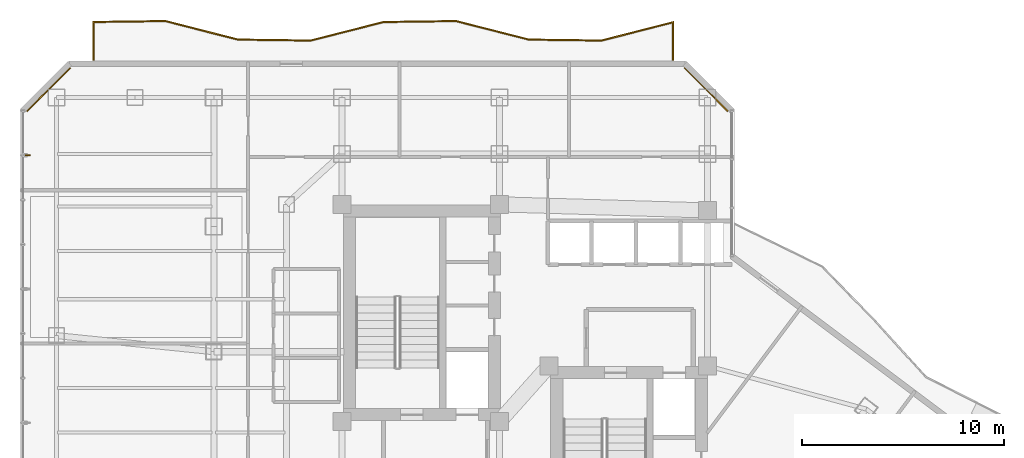
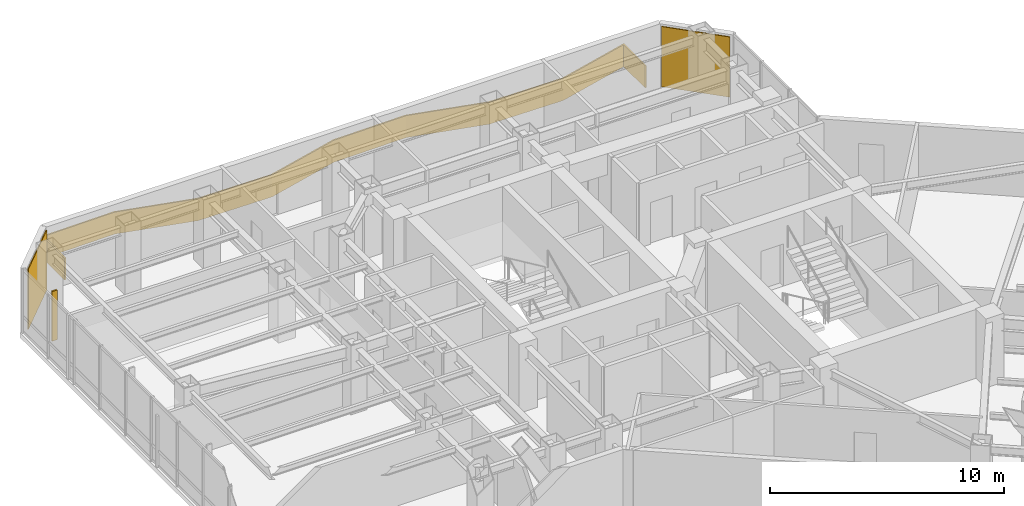
# One storey, part 28 of 28: 2 coverings, 1 railing, 1 shading device.
"""IFC4 building model written with IfcOpenShell, lengths in metres."""

from ifc_helpers import new_model, si_unit, direction, frame, origin, origin_2d, place, context, subcontext, project, spatial, polyline, rectangle, outline, extrude, material, layer, layer_set, type_object, element, save


model = new_model("IFC4")

# Units and contexts
model_context = context("Model", 3, precision=1e-05, world=origin(), true_north=direction((0.0, 1.0)))
body_context = subcontext(model_context, "Body", "Model", "MODEL_VIEW")
ifc_project = project(units=[si_unit("LENGTHUNIT", "METRE"), si_unit("AREAUNIT", "SQUARE_METRE"), si_unit("VOLUMEUNIT", "CUBIC_METRE"), si_unit("PLANEANGLEUNIT", "RADIAN"), si_unit("MASSUNIT", "GRAM", prefix="KILO")], contexts=[model_context])

# Site, building, storey
site_placement = place(None, origin())
site = spatial("IfcSite", under=ifc_project, at=site_placement, CompositionType="ELEMENT")
building_placement = place(site_placement, origin())
building = spatial("IfcBuilding", under=site, at=building_placement, Name="Hatsunagi Terrace Concourse", CompositionType="ELEMENT")
storey_placement = place(building_placement, frame((0.0, 0.0, 160.050048828125)))
storey = spatial("IfcBuildingStorey", under=building, at=storey_placement, Name="L42", CompositionType="ELEMENT", Elevation=160.050048828125)

# Railing
ifc_material_1 = material(Name="Laminated Glass and Stainless Steel Guard", Category="steel")
ifc_layer_1 = layer(ifc_material_1, 0.070068359375)
ifc_layer_set_1 = layer_set([ifc_layer_1], Name="BalconyGlassGuardRail_1150")
railing_type = type_object("IfcRailingType", Name="BalconyGlassGuardRail_1150", PredefinedType="BALUSTRADE", material=ifc_layer_set_1)
railing_placement = place(storey_placement, origin())
element("IfcRailing", 1, at=railing_placement, inside=storey, type_object=railing_type, Name="Engawa Balcony Guard GRD-01 L42-BN-1", PredefinedType="BALUSTRADE", context=body_context, shape_type="SweptSolid", body=[
    extrude(outline(polyline([(13.215087890625, 50.449951171875), (13.284912109375, 50.449951171875), (13.284912109375, 52.301513671875), (16.789794921875, 52.347900390625), (20.388427734375, 51.43017578125), (24.01025390625, 51.3818359375), (27.611572265625, 52.300048828125), (31.189697265625, 52.347900390625), (34.788330078125, 51.43017578125), (38.41015625, 51.3818359375), (41.9150390625, 52.27587890625), (41.9150390625, 50.449951171875), (41.985107421875, 50.449951171875), (41.985107421875, 52.365966796875), (38.40185546875, 51.4521484375), (34.797607421875, 51.5), (31.1982421875, 52.418212890625), (27.602294921875, 52.369873046875), (24.001708984375, 51.4521484375), (20.397705078125, 51.5), (16.798095703125, 52.418212890625), (13.215087890625, 52.37060546875), (13.215087890625, 50.449951171875)])), origin(), (0.0, 0.0, 1.0), 1.14990234375),
])

# Shading device
ifc_material_2 = material(Name="Extruded Unglazed Terracotta Baguette", Category="masonry")
shading_device_type = type_object("IfcShadingDeviceType", Name="TerracottaFinScreen_260x70", PredefinedType="USERDEFINED", material=ifc_material_2)
shading_device_placement = place(storey_placement, frame((9.989990234375, 45.73388671875, 0.849853515625), z_axis=(0.0, 0.0, 1.0), x_axis=(0.0, 1.0, 0.0)))
element("IfcShadingDevice", 2, at=shading_device_placement, inside=storey, type_object=shading_device_type, Name="Terracotta Baguette Fin Screen SCR-01", ObjectType="SUNSHADE", PredefinedType="USERDEFINED", context=body_context, shape_type="SweptSolid", body=[
    extrude(rectangle(XDim=0.070068359375, YDim=0.260009765625, at=origin_2d()), origin(), (0.0, 0.0, 1.0), 2.60009765625),
])

# Coverings
ifc_material_3 = material(Name="Unglazed Warm Terracotta Rainscreen Tile", Category="masonry")
ifc_layer_2 = layer(ifc_material_3, 0.044921875)
ifc_layer_set_2 = layer_set([ifc_layer_2], Name="TerracottaRainscreenCladding_45")
covering_type = type_object("IfcCoveringType", Name="TerracottaRainscreenCladding_45", PredefinedType="CLADDING", material=ifc_layer_set_2)
for number, where, z_axis, x_axis, name in (
    (3, (11.013916015625, 48.986083984375, 0.10009765625), (0.0, 0.0, 1.0), (0.707106781187, 0.707106781187, 0.0), "Terracotta Rainscreen Cladding L42-10"),
    (4, (43.5859375, 48.986083984375, 0.10009765625), (0.0, 0.0, 1.0), (0.707106781187, -0.707106781187, 0.0), "Terracotta Rainscreen Cladding L42-12"),
):
    element("IfcCovering", number, at=place(storey_placement, frame(where, z_axis=z_axis, x_axis=x_axis)), inside=storey, type_object=covering_type, Name=name, PredefinedType="CLADDING", context=body_context, shape_type="SweptSolid", body=[
        extrude(rectangle(XDim=3.0380859375, YDim=0.044921875, at=origin_2d()), origin(), (0.0, 0.0, 1.0), 3.14990234375),
    ])

save(model, "model.ifc")
